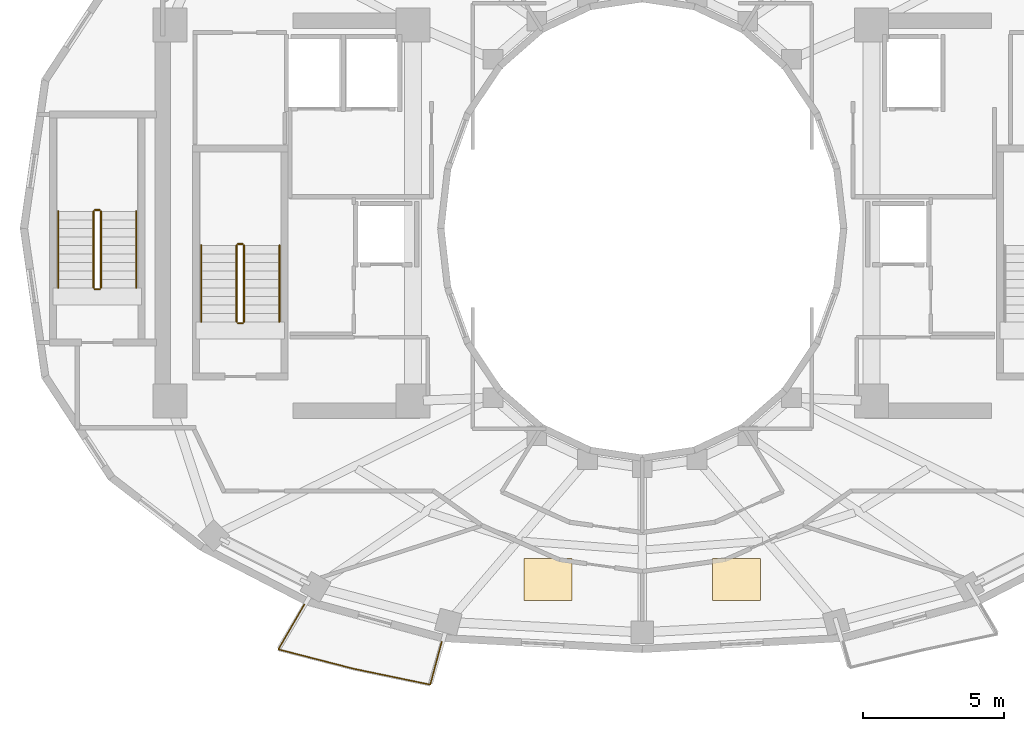
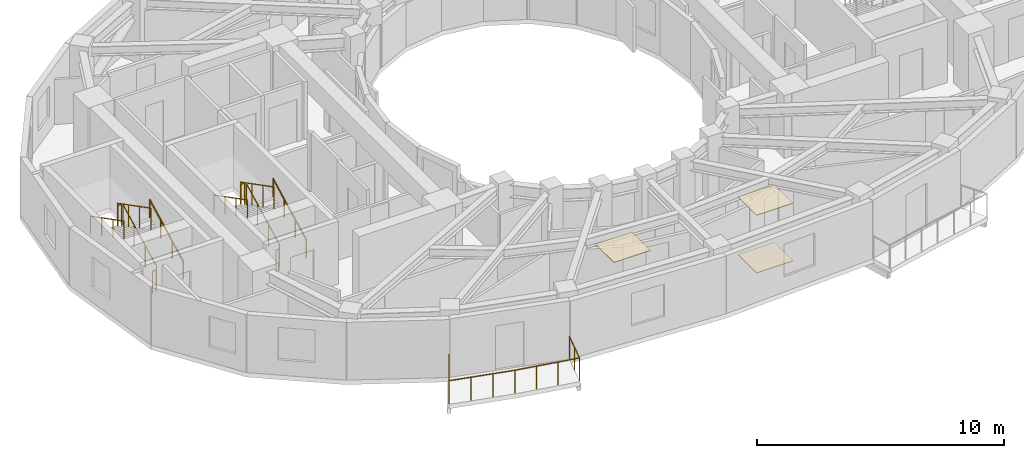
# One storey, part 8 of 10: 13 railings, 3 coverings.
"""IFC4 building model written with IfcOpenShell, lengths in metres."""

import ifcopenshell
import ifcopenshell.guid

model = None  # the IFC model being written
_history = None  # IfcOwnerHistory: only IFC2X3 demands one
_inside = {}  # id of a spatial element -> (the spatial element, [elements in it])
_under = {}  # id of a project, library or spatial element -> (it, [spatial elements below it])
_declared = {}  # id of a project -> (the project, [libraries it declares])
_typed = {}  # id of a type object -> (the type object, [elements of that type])
_made_of = {}  # id of a material, layer set ... -> (it, [elements and type objects made of it])


def new_model(schema):
    """Start an empty IFC model of exactly this schema.

    Asked for "IFC4X3", IfcOpenShell would pick the latest addendum, in which some entities
    have other attributes; the version numbers below select the first issue.
    IFC2X3 requires an IfcOwnerHistory on every rooted entity: one is made here for all.
    """
    global model, _history
    if schema == "IFC4X3":
        model = ifcopenshell.file(schema_version=(4, 3, 0, 0))
    else:
        model = ifcopenshell.file(schema=schema)
    _inside.clear()
    _under.clear()
    _declared.clear()
    _typed.clear()
    _made_of.clear()
    _history = None
    if model.schema == "IFC2X3":
        org = make("IfcOrganization", Name="unknown")
        user = make(
            "IfcPersonAndOrganization",
            ThePerson=make("IfcPerson", FamilyName="unknown"),
            TheOrganization=org,
        )
        app = make(
            "IfcApplication",
            ApplicationDeveloper=org,
            Version="unknown",
            ApplicationFullName="unknown",
            ApplicationIdentifier="unknown",
        )
        _history = make(
            "IfcOwnerHistory",
            OwningUser=user,
            OwningApplication=app,
            ChangeAction="ADDED",
            CreationDate=0,
        )
    return model


def make(cls, **values):
    """One entity of the class cls with the attributes given. An attribute that is None is left unset."""
    return model.create_entity(
        cls, **{name: value for name, value in values.items() if value is not None}
    )


def rooted(cls, **values):
    """An entity with a GlobalId (a new one), such as an element, a storey or a relation."""
    return make(cls, GlobalId=ifcopenshell.guid.new(), OwnerHistory=_history, **values)


def si_unit(unit_type, name, prefix=None):
    """IfcSIUnit, for example si_unit("LENGTHUNIT", "METRE", prefix="MILLI")."""
    return make("IfcSIUnit", UnitType=unit_type, Prefix=prefix, Name=name)


def assignment(units):
    """IfcUnitAssignment: the units of a project."""
    return None if units is None else make("IfcUnitAssignment", Units=units)


def point(xyz):
    """IfcCartesianPoint."""
    return None if xyz is None else make("IfcCartesianPoint", Coordinates=xyz)


def direction(xyz):
    """IfcDirection."""
    return None if xyz is None else make("IfcDirection", DirectionRatios=xyz)


def frame(location, z_axis=None, x_axis=None):
    """IfcAxis2Placement3D, a coordinate frame: its origin and axes. An axis left out is left unset."""
    return make(
        "IfcAxis2Placement3D",
        Location=point(location),
        Axis=direction(z_axis),
        RefDirection=direction(x_axis),
    )


def frame_2d(location, x_axis=None):
    """IfcAxis2Placement2D, a coordinate frame in the plane: its origin and x axis."""
    return make(
        "IfcAxis2Placement2D", Location=point(location), RefDirection=direction(x_axis)
    )


def origin():
    """The frame at (0, 0, 0) with its axes left unset."""
    return frame((0.0, 0.0, 0.0))


def origin_2d():
    """The frame at (0, 0) in the plane with its x axis left unset."""
    return frame_2d((0.0, 0.0))


def place(relative_to, where):
    """IfcLocalPlacement: puts the frame where relative to a parent placement (None: the world)."""
    return make(
        "IfcLocalPlacement", PlacementRelTo=relative_to, RelativePlacement=where
    )


def context(
    kind, dimensions, precision=None, world=None, true_north=None, identifier=None
):
    """IfcGeometricRepresentationContext, for example the 3D "Model" context."""
    return make(
        "IfcGeometricRepresentationContext",
        ContextIdentifier=identifier,
        ContextType=kind,
        CoordinateSpaceDimension=dimensions,
        Precision=precision,
        WorldCoordinateSystem=world,
        TrueNorth=true_north,
    )


def subcontext(parent, identifier, kind, view, scale=None):
    """IfcGeometricRepresentationSubContext, for example "Body" below "Model"."""
    return make(
        "IfcGeometricRepresentationSubContext",
        ContextIdentifier=identifier,
        ContextType=kind,
        ParentContext=parent,
        TargetScale=scale,
        TargetView=view,
    )


def project(units=None, contexts=None):
    """IfcProject with its units and contexts."""
    return rooted(
        "IfcProject",
        Name="project",
        RepresentationContexts=contexts,
        UnitsInContext=assignment(units),
    )


def spatial(cls, under=None, at=None, **own):
    """A site, building, storey or space (cls), placed at a placement, below another one or the project."""
    s = rooted(cls, ObjectPlacement=at, **own)
    if under is not None:
        _under.setdefault(under.id(), (under, []))[1].append(s)
    return s


def polyline(points):
    """IfcPolyline through the points."""
    return make("IfcPolyline", Points=[point(p) for p in points])


def profile(cls, at=None, kind="AREA", **sizes):
    """A parametric profile (cls). Its sizes go by their IFC names, for example OverallWidth=200.0."""
    return make(cls, ProfileType=kind, Position=at, **sizes)


def circle(**sizes):
    """IfcCircleProfileDef."""
    return profile("IfcCircleProfileDef", **sizes)


def outline(outer, holes=None, kind="AREA"):
    """IfcArbitraryClosedProfileDef: a profile drawn as a closed curve; with holes, ...WithVoids."""
    if holes is None:
        return make("IfcArbitraryClosedProfileDef", ProfileType=kind, OuterCurve=outer)
    return make(
        "IfcArbitraryProfileDefWithVoids",
        ProfileType=kind,
        OuterCurve=outer,
        InnerCurves=holes,
    )


def extrude(swept, where, along, depth):
    """IfcExtrudedAreaSolid: the profile swept, set in the frame where, extruded along a direction by depth."""
    return make(
        "IfcExtrudedAreaSolid",
        SweptArea=swept,
        Position=where,
        ExtrudedDirection=direction(along),
        Depth=depth,
    )


def shape(context_of_items, identifier, shape_type, items):
    """IfcShapeRepresentation: the items that make up one representation, for example the "Body"."""
    return make(
        "IfcShapeRepresentation",
        ContextOfItems=context_of_items,
        RepresentationIdentifier=identifier,
        RepresentationType=shape_type,
        Items=items,
    )


def material(Name=None, Category=None):
    """IfcMaterial."""
    return make("IfcMaterial", Name=Name, Category=Category)


def layer(
    of_material, thickness, ventilated=None, Name=None, Category=None, Priority=None
):
    """IfcMaterialLayer: one layer of a wall or slab, of a material (None: an air gap)."""
    return make(
        "IfcMaterialLayer",
        Material=of_material,
        LayerThickness=thickness,
        IsVentilated=ventilated,
        Name=Name,
        Category=Category,
        Priority=Priority,
    )


def layer_set(layers, Name=None):
    """IfcMaterialLayerSet."""
    return make("IfcMaterialLayerSet", MaterialLayers=layers, LayerSetName=Name)


def made_of(thing, what):
    """Note that an element or type object is made of a material, layer set ...; save() writes the relation."""
    if what is not None:
        _made_of.setdefault(what.id(), (what, []))[1].append(thing)
    return thing


def type_object(cls, material=None, **own):
    """A type object (cls), such as IfcWallType, which elements share."""
    return made_of(rooted(cls, **own), material)


def element(
    cls,
    number,
    at=None,
    inside=None,
    cuts=None,
    type_object=None,
    material=None,
    context=None,
    identifier="Body",
    shape_type=None,
    held_by="IfcProductDefinitionShape",
    body=None,
    shapes=None,
    **own,
):
    """One element of the class cls, such as IfcWall. Its Tag is "e" and its number.

    at: its placement. inside: the storey or other place that contains it. cuts: it is an
    opening in that element (IfcRelVoidsElement). A single representation is given by context,
    identifier, shape_type and body (its items); several are given by shapes. held_by: the class
    of the entity that holds the representations. save() writes the other relations.
    """
    e = rooted(cls, Tag="e%d" % number, ObjectPlacement=at, **own)
    if body is not None:
        shapes = [shape(context, identifier, shape_type, body)]
    if shapes is not None:
        e.Representation = make(held_by, Representations=shapes)
    if inside is not None:
        _inside.setdefault(inside.id(), (inside, []))[1].append(e)
    if cuts is not None:
        rooted(
            "IfcRelVoidsElement", RelatingBuildingElement=cuts, RelatedOpeningElement=e
        )
    if type_object is not None:
        _typed.setdefault(type_object.id(), (type_object, []))[1].append(e)
    return made_of(e, material)


def aggregate(whole, parts):
    """IfcRelAggregates: a whole, such as a stair, and the parts it consists of."""
    return rooted("IfcRelAggregates", RelatingObject=whole, RelatedObjects=parts)


def save(model, path):
    """Write the relations noted so far, then the file.

    IfcRelAggregates (storeys below a building ...), IfcRelContainedInSpatialStructure (elements
    in a storey), IfcRelDefinesByType, IfcRelAssociatesMaterial and IfcRelDeclares: one each for
    every whole, place, type object, material and project.
    """
    for whole, parts in _under.values():
        aggregate(whole, parts)
    for where, things in _inside.values():
        rooted(
            "IfcRelContainedInSpatialStructure",
            RelatedElements=things,
            RelatingStructure=where,
        )
    for kind, things in _typed.values():
        rooted("IfcRelDefinesByType", RelatedObjects=things, RelatingType=kind)
    for what, things in _made_of.values():
        rooted("IfcRelAssociatesMaterial", RelatedObjects=things, RelatingMaterial=what)
    for by, libraries in _declared.values():
        rooted("IfcRelDeclares", RelatingContext=by, RelatedDefinitions=libraries)
    model.write(path)


model = new_model("IFC4")

# Units and contexts
model_context = context("Model", 3, precision=1e-05, world=origin(), true_north=direction((0.0, 1.0)))
body_context = subcontext(model_context, "Body", "Model", "MODEL_VIEW")
ifc_project = project(units=[si_unit("LENGTHUNIT", "METRE"), si_unit("AREAUNIT", "SQUARE_METRE"), si_unit("VOLUMEUNIT", "CUBIC_METRE"), si_unit("PLANEANGLEUNIT", "RADIAN"), si_unit("MASSUNIT", "GRAM", prefix="KILO")], contexts=[model_context])

# Site, building, storey
site_placement = place(None, origin())
site = spatial("IfcSite", under=ifc_project, at=site_placement, CompositionType="ELEMENT")
building_placement = place(site_placement, origin())
building = spatial("IfcBuilding", under=site, at=building_placement, Name="Solvane Sanctuary Tower", CompositionType="ELEMENT")
storey_placement = place(building_placement, frame((0.0, 0.0, 204.699951171875)))
storey = spatial("IfcBuildingStorey", under=building, at=storey_placement, Name="L62", CompositionType="ELEMENT", Elevation=204.699951171875)

# Coverings
ifc_material_1 = material(Name="Acoustic Gypsum Partition Board")
ifc_layer_1 = layer(ifc_material_1, 0.02490234375, Name="Acoustic Gypsum Partition Board")
ifc_layer_set_1 = layer_set([ifc_layer_1], Name="Acoustic Gypsum Partition Board")
covering_type_1 = type_object("IfcCoveringType", Name="Covering CLG-ACOUST", PredefinedType="CEILING", material=ifc_layer_set_1)
covering_1_placement = place(storey_placement, frame((0.0, 0.0, 2.85009765625)))
element("IfcCovering", 1, at=covering_1_placement, inside=storey, type_object=covering_type_1, Name="L62 Unit Acoustic Ceiling Panel 3", PredefinedType="CEILING", context=body_context, shape_type="SweptSolid", body=[
    extrude(outline(polyline([(27.823974609375, 9.837890625), (29.52392578125, 9.837890625), (29.52392578125, 11.337890625), (27.823974609375, 11.337890625), (27.823974609375, 9.837890625)])), origin(), (0.0, 0.0, 1.0), 0.030029296875),
])
covering_2_placement = place(storey_placement, frame((0.0, 0.0, 2.85009765625)))
element("IfcCovering", 2, at=covering_2_placement, inside=storey, type_object=covering_type_1, Name="L62 Unit Acoustic Ceiling Panel 4", PredefinedType="CEILING", context=body_context, shape_type="SweptSolid", body=[
    extrude(outline(polyline([(34.47607421875, 9.837890625), (36.176025390625, 9.837890625), (36.176025390625, 11.337890625), (34.47607421875, 11.337890625), (34.47607421875, 9.837890625)])), origin(), (0.0, 0.0, 1.0), 0.030029296875),
])
ifc_material_2 = material(Name="Ceramic Tile Finish")
ifc_layer_2 = layer(ifc_material_2, 0.030029296875, Name="Ceramic Tile Finish")
ifc_layer_set_2 = layer_set([ifc_layer_2], Name="Ceramic Tile Finish")
covering_type_2 = type_object("IfcCoveringType", Name="Covering FLR-TERRAZZO", PredefinedType="FLOORING", material=ifc_layer_set_2)
covering_3_placement = place(storey_placement, origin())
element("IfcCovering", 3, at=covering_3_placement, inside=storey, type_object=covering_type_2, Name="L62 Unit Terrazzo Inlay 4", PredefinedType="FLOORING", context=body_context, shape_type="SweptSolid", body=[
    extrude(outline(polyline([(34.47607421875, 9.837890625), (36.176025390625, 9.837890625), (36.176025390625, 11.337890625), (34.47607421875, 11.337890625), (34.47607421875, 9.837890625)])), origin(), (0.0, 0.0, 1.0), 0.03515625),
])

# Railings
ifc_material_3 = material(Name="Architectural Stainless Steel 316", Category="steel")
railing_type_1 = type_object("IfcRailingType", Name="Railing GR-BALC-1150", PredefinedType="BALUSTRADE", material=ifc_material_3)
railing_1_placement = place(storey_placement, frame((20.053955078125, 9.70947265625, 0.0)))
element("IfcRailing", 4, at=railing_1_placement, inside=storey, type_object=railing_type_1, Name="L62 Wave Balcony Balustrade S1", PredefinedType="BALUSTRADE", context=body_context, shape_type="SweptSolid", body=[
    extrude(circle(Radius=0.02392578125, at=origin_2d()), frame((0.0, 0.0, 1.1259765625), z_axis=(-0.5000827969, -0.865977595694, 0.0), x_axis=(0.865977595694, -0.5000827969, 0.0)), (0.0, 0.0, 1.0), 1.837646484375),
    extrude(circle(Radius=0.02392578125, at=origin_2d()), frame((-0.9189453125, -1.59130859375, 1.1259765625), z_axis=(0.968457008619, -0.249180702418, 0.0), x_axis=(0.249180702418, 0.968457008619, 0.0)), (0.0, 0.0, 1.0), 2.763916015625),
    extrude(circle(Radius=0.02392578125, at=origin_2d()), frame((1.7578125, -2.280029296875, 1.1259765625), z_axis=(0.979173479135, -0.203025362355, 0.0), x_axis=(0.203025362355, 0.979173479135, 0.0)), (0.0, 0.0, 1.0), 2.750244140625),
    extrude(circle(Radius=0.02392578125, at=origin_2d()), frame((4.45068359375, -2.83837890625, 1.1259765625), z_axis=(0.258860199722, 0.965914798002, 0.0), x_axis=(-0.965914798002, 0.258860199722, 0.0)), (0.0, 0.0, 1.0), 1.5732421875),
    extrude(circle(Radius=0.02099609375, at=origin_2d()), origin(), (0.0, 0.0, 1.0), 1.101806640625),
    extrude(circle(Radius=0.02099609375, at=origin_2d()), frame((-0.45947265625, -0.795654296875, 0.0)), (0.0, 0.0, 1.0), 1.101806640625),
    extrude(circle(Radius=0.02099609375, at=origin_2d()), frame((-0.9189453125, -1.59130859375, 0.0)), (0.0, 0.0, 1.0), 1.101806640625),
    extrude(circle(Radius=0.02099609375, at=origin_2d()), frame((-0.026611328125, -1.82080078125, 0.0)), (0.0, 0.0, 1.0), 1.101806640625),
    extrude(circle(Radius=0.02099609375, at=origin_2d()), frame((0.865478515625, -2.050537109375, 0.0)), (0.0, 0.0, 1.0), 1.101806640625),
    extrude(circle(Radius=0.02099609375, at=origin_2d()), frame((1.7578125, -2.280029296875, 0.0)), (0.0, 0.0, 1.0), 1.101806640625),
    extrude(circle(Radius=0.02099609375, at=origin_2d()), frame((2.655517578125, -2.466064453125, 0.0)), (0.0, 0.0, 1.0), 1.101806640625),
    extrude(circle(Radius=0.02099609375, at=origin_2d()), frame((3.552978515625, -2.65234375, 0.0)), (0.0, 0.0, 1.0), 1.101806640625),
    extrude(circle(Radius=0.02099609375, at=origin_2d()), frame((4.45068359375, -2.83837890625, 0.0)), (0.0, 0.0, 1.0), 1.101806640625),
    extrude(circle(Radius=0.02099609375, at=origin_2d()), frame((4.654296875, -2.07861328125, 0.0)), (0.0, 0.0, 1.0), 1.101806640625),
    extrude(circle(Radius=0.02099609375, at=origin_2d()), frame((4.85791015625, -1.31884765625, 0.0)), (0.0, 0.0, 1.0), 1.101806640625),
])
railing_2_placement = place(storey_placement, frame((17.919921875, 19.699951171875, 0.155029296875)))
element("IfcRailing", 5, at=railing_2_placement, inside=storey, type_object=railing_type_1, Name="L62 ST-1 stair guard 1", PredefinedType="BALUSTRADE", context=body_context, shape_type="SweptSolid", body=[
    extrude(circle(Radius=0.02392578125, at=origin_2d()), frame((0.0, 0.0, 1.076171875), z_axis=(0.0, 0.888419900624, 0.459031676658), x_axis=(-1.0, 0.0, 0.0)), (0.0, 0.0, 1.0), 3.0390625),
    extrude(circle(Radius=0.02099609375, at=origin_2d()), origin(), (0.0, 0.0, 1.0), 1.052001953125),
    extrude(circle(Radius=0.02099609375, at=origin_2d()), frame((0.0, 0.89990234375, 0.465087890625)), (0.0, 0.0, 1.0), 1.052001953125),
    extrude(circle(Radius=0.02099609375, at=origin_2d()), frame((0.0, 1.800048828125, 0.929931640625)), (0.0, 0.0, 1.0), 1.052001953125),
    extrude(circle(Radius=0.02099609375, at=origin_2d()), frame((0.0, 2.699951171875, 1.39501953125)), (0.0, 0.0, 1.0), 1.052001953125),
])
railing_3_placement = place(storey_placement, frame((17.8701171875, 22.449951171875, 1.550048828125)))
element("IfcRailing", 6, at=railing_3_placement, inside=storey, type_object=railing_type_1, Name="L62 ST-1 stair guard 2", PredefinedType="BALUSTRADE", context=body_context, shape_type="SweptSolid", body=[
    extrude(circle(Radius=0.02392578125, at=origin_2d()), frame((0.0, 0.0, 1.076171875), z_axis=(-1.0, 0.0, 0.0), x_axis=(0.0, -1.0, 0.0)), (0.0, 0.0, 1.0), 0.16015625),
    extrude(circle(Radius=0.02099609375, at=origin_2d()), origin(), (0.0, 0.0, 1.0), 1.052001953125),
    extrude(circle(Radius=0.02099609375, at=origin_2d()), frame((-0.16015625, 0.0, 0.0)), (0.0, 0.0, 1.0), 1.052001953125),
])
railing_4_placement = place(storey_placement, frame((17.659912109375, 22.39990234375, 1.705078125)))
element("IfcRailing", 7, at=railing_4_placement, inside=storey, type_object=railing_type_1, Name="L62 ST-1 stair guard 3", PredefinedType="BALUSTRADE", context=body_context, shape_type="SweptSolid", body=[
    extrude(circle(Radius=0.02392578125, at=origin_2d()), frame((0.0, 0.0, 1.076171875), z_axis=(0.0, -0.888419900624, 0.459031676658), x_axis=(1.0, 0.0, 0.0)), (0.0, 0.0, 1.0), 3.0390625),
    extrude(circle(Radius=0.02099609375, at=origin_2d()), origin(), (0.0, 0.0, 1.0), 1.052001953125),
    extrude(circle(Radius=0.02099609375, at=origin_2d()), frame((0.0, -0.89990234375, 0.465087890625)), (0.0, 0.0, 1.0), 1.052001953125),
    extrude(circle(Radius=0.02099609375, at=origin_2d()), frame((0.0, -1.800048828125, 0.929931640625)), (0.0, 0.0, 1.0), 1.052001953125),
    extrude(circle(Radius=0.02099609375, at=origin_2d()), frame((0.0, -2.699951171875, 1.39501953125)), (0.0, 0.0, 1.0), 1.052001953125),
])
railing_5_placement = place(storey_placement, frame((17.8701171875, 19.64990234375, 0.0)))
element("IfcRailing", 8, at=railing_5_placement, inside=storey, type_object=railing_type_1, Name="L62 ST-1 stair guard 4", PredefinedType="BALUSTRADE", context=body_context, shape_type="SweptSolid", body=[
    extrude(circle(Radius=0.02392578125, at=origin_2d()), frame((0.0, 0.0, 1.076171875), z_axis=(-1.0, 0.0, 0.0), x_axis=(0.0, -1.0, 0.0)), (0.0, 0.0, 1.0), 0.16015625),
    extrude(circle(Radius=0.02099609375, at=origin_2d()), origin(), (0.0, 0.0, 1.0), 1.052001953125),
    extrude(circle(Radius=0.02099609375, at=origin_2d()), frame((-0.16015625, 0.0, 0.0)), (0.0, 0.0, 1.0), 1.052001953125),
])
railing_6_placement = place(storey_placement, frame((12.860107421875, 20.89990234375, 0.155029296875)))
element("IfcRailing", 9, at=railing_6_placement, inside=storey, type_object=railing_type_1, Name="L62 ST-3 stair guard 1", PredefinedType="BALUSTRADE", context=body_context, shape_type="SweptSolid", body=[
    extrude(circle(Radius=0.02392578125, at=origin_2d()), frame((0.0, 0.0, 1.076171875), z_axis=(0.0, 0.888436826113, 0.458998917216), x_axis=(-1.0, 0.0, 0.0)), (0.0, 0.0, 1.0), 3.039306640625),
    extrude(circle(Radius=0.02099609375, at=origin_2d()), origin(), (0.0, 0.0, 1.0), 1.052001953125),
    extrude(circle(Radius=0.02099609375, at=origin_2d()), frame((0.0, 0.900146484375, 0.465087890625)), (0.0, 0.0, 1.0), 1.052001953125),
    extrude(circle(Radius=0.02099609375, at=origin_2d()), frame((0.0, 1.800048828125, 0.929931640625)), (0.0, 0.0, 1.0), 1.052001953125),
    extrude(circle(Radius=0.02099609375, at=origin_2d()), frame((0.0, 2.7001953125, 1.39501953125)), (0.0, 0.0, 1.0), 1.052001953125),
])
railing_7_placement = place(storey_placement, frame((12.81005859375, 23.64990234375, 1.550048828125)))
element("IfcRailing", 10, at=railing_7_placement, inside=storey, type_object=railing_type_1, Name="L62 ST-3 stair guard 2", PredefinedType="BALUSTRADE", context=body_context, shape_type="SweptSolid", body=[
    extrude(circle(Radius=0.02392578125, at=origin_2d()), frame((0.0, 0.0, 1.076171875), z_axis=(-1.0, 0.0, 0.0), x_axis=(0.0, -1.0, 0.0)), (0.0, 0.0, 1.0), 0.16015625),
    extrude(circle(Radius=0.02099609375, at=origin_2d()), origin(), (0.0, 0.0, 1.0), 1.052001953125),
    extrude(circle(Radius=0.02099609375, at=origin_2d()), frame((-0.16015625, 0.0, 0.0)), (0.0, 0.0, 1.0), 1.052001953125),
])
railing_8_placement = place(storey_placement, frame((12.60009765625, 23.60009765625, 1.705078125)))
element("IfcRailing", 11, at=railing_8_placement, inside=storey, type_object=railing_type_1, Name="L62 ST-3 stair guard 3", PredefinedType="BALUSTRADE", context=body_context, shape_type="SweptSolid", body=[
    extrude(circle(Radius=0.02392578125, at=origin_2d()), frame((0.0, 0.0, 1.076171875), z_axis=(0.0, -0.888436826113, 0.458998917216), x_axis=(1.0, 0.0, 0.0)), (0.0, 0.0, 1.0), 3.039306640625),
    extrude(circle(Radius=0.02099609375, at=origin_2d()), origin(), (0.0, 0.0, 1.0), 1.052001953125),
    extrude(circle(Radius=0.02099609375, at=origin_2d()), frame((0.0, -0.900146484375, 0.465087890625)), (0.0, 0.0, 1.0), 1.052001953125),
    extrude(circle(Radius=0.02099609375, at=origin_2d()), frame((0.0, -1.800048828125, 0.929931640625)), (0.0, 0.0, 1.0), 1.052001953125),
    extrude(circle(Radius=0.02099609375, at=origin_2d()), frame((0.0, -2.7001953125, 1.39501953125)), (0.0, 0.0, 1.0), 1.052001953125),
])
railing_9_placement = place(storey_placement, frame((12.81005859375, 20.85009765625, 0.0)))
element("IfcRailing", 12, at=railing_9_placement, inside=storey, type_object=railing_type_1, Name="L62 ST-3 stair guard 4", PredefinedType="BALUSTRADE", context=body_context, shape_type="SweptSolid", body=[
    extrude(circle(Radius=0.02392578125, at=origin_2d()), frame((0.0, 0.0, 1.076171875), z_axis=(-1.0, 0.0, 0.0), x_axis=(0.0, -1.0, 0.0)), (0.0, 0.0, 1.0), 0.16015625),
    extrude(circle(Radius=0.02099609375, at=origin_2d()), origin(), (0.0, 0.0, 1.0), 1.052001953125),
    extrude(circle(Radius=0.02099609375, at=origin_2d()), frame((-0.16015625, 0.0, 0.0)), (0.0, 0.0, 1.0), 1.052001953125),
])
railing_type_2 = type_object("IfcRailingType", Name="Railing HR-STAIR-920", PredefinedType="HANDRAIL", material=ifc_material_3)
railing_10_placement = place(storey_placement, frame((19.169921875, 19.699951171875, 0.155029296875)))
element("IfcRailing", 13, at=railing_10_placement, inside=storey, type_object=railing_type_2, Name="L62 ST-1 stair handrail 1", PredefinedType="HANDRAIL", context=body_context, shape_type="SweptSolid", body=[
    extrude(circle(Radius=0.02392578125, at=origin_2d()), frame((0.0, 0.0, 0.8759765625), z_axis=(0.0, 0.888419900624, 0.459031676658), x_axis=(-1.0, 0.0, 0.0)), (0.0, 0.0, 1.0), 3.0390625),
    extrude(circle(Radius=0.02099609375, at=origin_2d()), origin(), (0.0, 0.0, 1.0), 0.851806640625),
    extrude(circle(Radius=0.02099609375, at=origin_2d()), frame((0.0, 0.89990234375, 0.465087890625)), (0.0, 0.0, 1.0), 0.851806640625),
    extrude(circle(Radius=0.02099609375, at=origin_2d()), frame((0.0, 1.800048828125, 0.929931640625)), (0.0, 0.0, 1.0), 0.851806640625),
    extrude(circle(Radius=0.02099609375, at=origin_2d()), frame((0.0, 2.699951171875, 1.39501953125)), (0.0, 0.0, 1.0), 0.851806640625),
])
railing_11_placement = place(storey_placement, frame((16.409912109375, 22.39990234375, 1.705078125)))
element("IfcRailing", 14, at=railing_11_placement, inside=storey, type_object=railing_type_2, Name="L62 ST-1 stair handrail 2", PredefinedType="HANDRAIL", context=body_context, shape_type="SweptSolid", body=[
    extrude(circle(Radius=0.02392578125, at=origin_2d()), frame((0.0, 0.0, 0.8759765625), z_axis=(0.0, -0.888419900624, 0.459031676658), x_axis=(1.0, 0.0, 0.0)), (0.0, 0.0, 1.0), 3.0390625),
    extrude(circle(Radius=0.02099609375, at=origin_2d()), origin(), (0.0, 0.0, 1.0), 0.851806640625),
    extrude(circle(Radius=0.02099609375, at=origin_2d()), frame((0.0, -0.89990234375, 0.465087890625)), (0.0, 0.0, 1.0), 0.851806640625),
    extrude(circle(Radius=0.02099609375, at=origin_2d()), frame((0.0, -1.800048828125, 0.929931640625)), (0.0, 0.0, 1.0), 0.851806640625),
    extrude(circle(Radius=0.02099609375, at=origin_2d()), frame((0.0, -2.699951171875, 1.39501953125)), (0.0, 0.0, 1.0), 0.851806640625),
])
railing_12_placement = place(storey_placement, frame((14.110107421875, 20.89990234375, 0.155029296875)))
element("IfcRailing", 15, at=railing_12_placement, inside=storey, type_object=railing_type_2, Name="L62 ST-3 stair handrail 1", PredefinedType="HANDRAIL", context=body_context, shape_type="SweptSolid", body=[
    extrude(circle(Radius=0.02392578125, at=origin_2d()), frame((0.0, 0.0, 0.8759765625), z_axis=(0.0, 0.888436826113, 0.458998917216), x_axis=(-1.0, 0.0, 0.0)), (0.0, 0.0, 1.0), 3.039306640625),
    extrude(circle(Radius=0.02099609375, at=origin_2d()), origin(), (0.0, 0.0, 1.0), 0.851806640625),
    extrude(circle(Radius=0.02099609375, at=origin_2d()), frame((0.0, 0.900146484375, 0.465087890625)), (0.0, 0.0, 1.0), 0.851806640625),
    extrude(circle(Radius=0.02099609375, at=origin_2d()), frame((0.0, 1.800048828125, 0.929931640625)), (0.0, 0.0, 1.0), 0.851806640625),
    extrude(circle(Radius=0.02099609375, at=origin_2d()), frame((0.0, 2.7001953125, 1.39501953125)), (0.0, 0.0, 1.0), 0.851806640625),
])
railing_13_placement = place(storey_placement, frame((11.35009765625, 23.60009765625, 1.705078125)))
element("IfcRailing", 16, at=railing_13_placement, inside=storey, type_object=railing_type_2, Name="L62 ST-3 stair handrail 2", PredefinedType="HANDRAIL", context=body_context, shape_type="SweptSolid", body=[
    extrude(circle(Radius=0.02392578125, at=origin_2d()), frame((0.0, 0.0, 0.8759765625), z_axis=(0.0, -0.888436826113, 0.458998917216), x_axis=(1.0, 0.0, 0.0)), (0.0, 0.0, 1.0), 3.039306640625),
    extrude(circle(Radius=0.02099609375, at=origin_2d()), origin(), (0.0, 0.0, 1.0), 0.851806640625),
    extrude(circle(Radius=0.02099609375, at=origin_2d()), frame((0.0, -0.900146484375, 0.465087890625)), (0.0, 0.0, 1.0), 0.851806640625),
    extrude(circle(Radius=0.02099609375, at=origin_2d()), frame((0.0, -1.800048828125, 0.929931640625)), (0.0, 0.0, 1.0), 0.851806640625),
    extrude(circle(Radius=0.02099609375, at=origin_2d()), frame((0.0, -2.7001953125, 1.39501953125)), (0.0, 0.0, 1.0), 0.851806640625),
])

save(model, "model.ifc")
